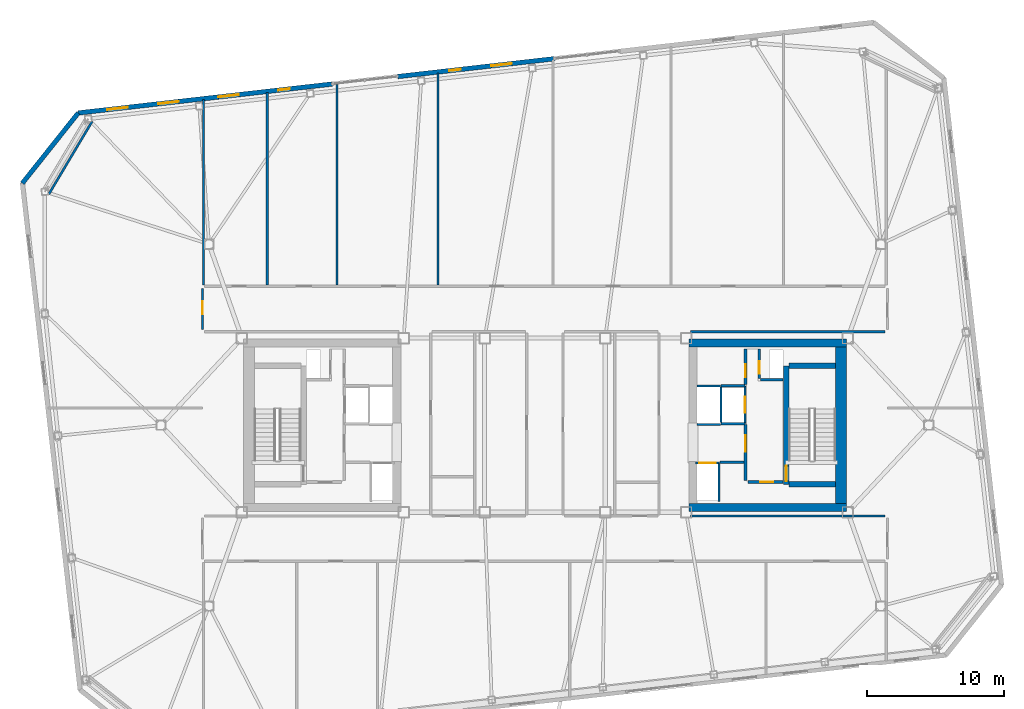
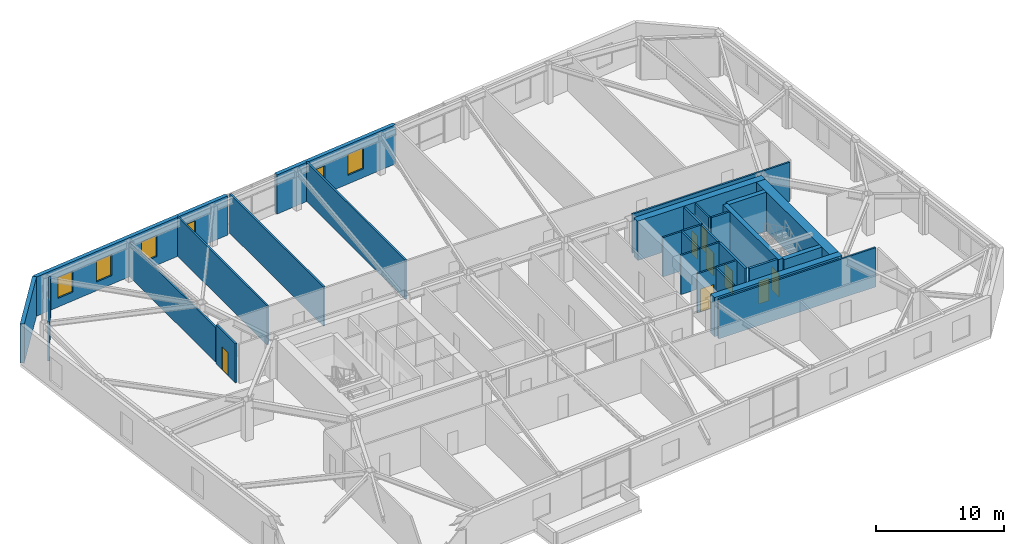
# One storey, part 14 of 18: 31 walls, 8 doors, 6 windows, 14 openings.
"""IFC4 building model written with IfcOpenShell, lengths in metres."""

from ifc_helpers import new_model, si_unit, direction, frame, frame_2d, origin, place, context, subcontext, project, spatial, rectangle, extrude, material, layer, layer_set, type_object, element, fill, save


model = new_model("IFC4")

# Units and contexts
model_context = context("Model", 3, precision=1e-05, world=origin(), true_north=direction((0.0, 1.0)))
body_context = subcontext(model_context, "Body", "Model", "MODEL_VIEW")
ifc_project = project(units=[si_unit("LENGTHUNIT", "METRE"), si_unit("AREAUNIT", "SQUARE_METRE"), si_unit("VOLUMEUNIT", "CUBIC_METRE"), si_unit("PLANEANGLEUNIT", "RADIAN"), si_unit("MASSUNIT", "GRAM", prefix="KILO")], contexts=[model_context])

# Site, building, storey
site_placement = place(None, origin())
site = spatial("IfcSite", under=ifc_project, at=site_placement, CompositionType="ELEMENT")
building_placement = place(site_placement, origin())
building = spatial("IfcBuilding", under=site, at=building_placement, Name="Tavrogorsk Clinical Tower", CompositionType="ELEMENT")
storey_placement = place(building_placement, frame((0.0, 0.0, 230.199951171875)))
storey = spatial("IfcBuildingStorey", under=building, at=storey_placement, Name="L53", CompositionType="ELEMENT", Elevation=230.199951171875)

# Wall, opening, door
ifc_material_1 = material(Name="Concrete B60", Category="concrete")
ifc_layer_1 = layer(ifc_material_1, 0.199951171875)
ifc_layer_set_1 = layer_set([ifc_layer_1], Name="Concrete B60")
wall_type_1 = type_object("IfcWallType", Name="CoreFireWall_200", PredefinedType="SOLIDWALL", material=ifc_layer_set_1)
wall_1_placement = place(storey_placement, frame((14.824951171875, -4.139892578125, 0.0), z_axis=(0.0, 0.0, 1.0), x_axis=(1.0, 0.0, 0.0)))
wall_1 = element("IfcWall", 1, at=wall_1_placement, inside=storey, type_object=wall_type_1, Name="L53 Core East South Core Room Fire Wall", PredefinedType="SOLIDWALL", context=body_context, shape_type="SweptSolid", body=[
    extrude(rectangle(XDim=2.554931640625, YDim=0.199951171875, at=frame_2d((1.27734375, 0.0))), origin(), (0.0, 0.0, 1.0), 3.739990234375),
])
opening_1_placement = place(wall_1_placement, frame((0.8798828125, 0.0, 0.0)))
opening_1 = element("IfcOpeningElement", 2, at=opening_1_placement, cuts=wall_1, Name="Opening ID-02", PredefinedType="OPENING", context=body_context, shape_type="SweptSolid", body=[
    extrude(rectangle(XDim=0.949951171875, YDim=2.199951171875, at=frame_2d((0.47509765625, 1.10009765625))), frame((0.0, 0.10986328125, 0.0), z_axis=(0.0, -1.0, 0.0), x_axis=(1.0, 0.0, 0.0)), (0.0, 0.0, 1.0), 0.219970703125),
])
ifc_material_2 = material(Name="Laminated timber leaf on aluminium frame", Category="wood")
door_type_1 = type_object("IfcDoorType", Name="InteriorDoor_ID02_950", OperationType="NOTDEFINED", PredefinedType="DOOR", material=ifc_material_2)
door_1_placement = place(opening_1_placement, origin())
door_1 = element("IfcDoor", 3, at=door_1_placement, inside=storey, type_object=door_type_1, Name="L53 Core East South Core Room Door", OperationType="SINGLE_SWING_RIGHT", OverallHeight=2.199951171875, OverallWidth=0.949951171875, PredefinedType="DOOR", context=body_context, shape_type="SweptSolid", body=[
    extrude(rectangle(XDim=0.949951171875, YDim=2.199951171875, at=frame_2d((0.47509765625, 1.10009765625))), frame((0.0, 0.02490234375, 0.0), z_axis=(0.0, -1.0, 0.0), x_axis=(1.0, 0.0, 0.0)), (0.0, 0.0, 1.0), 0.050048828125),
])
fill(opening_1, door_1)

wall_2_placement = place(storey_placement, frame((14.639892578125, 2.9599609375, 0.0), z_axis=(0.0, 0.0, 1.0), x_axis=(0.0, 1.0, 0.0)))
wall_2 = element("IfcWall", 4, at=wall_2_placement, inside=storey, type_object=wall_type_1, Name="L53 Core East North Core Room East Wall", PredefinedType="SOLIDWALL", context=body_context, shape_type="SweptSolid", body=[
    extrude(rectangle(XDim=2.60009765625, YDim=0.199951171875, at=frame_2d((1.300048828125, 0.0))), origin(), (0.0, 0.0, 1.0), 3.739990234375),
])
opening_2_placement = place(wall_2_placement, frame((0.52001953125, 0.0, 0.0)))
opening_2 = element("IfcOpeningElement", 5, at=opening_2_placement, cuts=wall_2, Name="Opening ID-02", PredefinedType="OPENING", context=body_context, shape_type="SweptSolid", body=[
    extrude(rectangle(XDim=0.949951171875, YDim=2.199951171875, at=frame_2d((0.47509765625, 1.10009765625))), frame((0.0, 0.10986328125, 0.0), z_axis=(0.0, -1.0, 0.0), x_axis=(1.0, 0.0, 0.0)), (0.0, 0.0, 1.0), 0.219970703125),
])
door_2_placement = place(opening_2_placement, origin())
door_2 = element("IfcDoor", 6, at=door_2_placement, inside=storey, type_object=door_type_1, Name="L53 Core East Core Telemetry Room Door", OperationType="SINGLE_SWING_LEFT", OverallHeight=2.199951171875, OverallWidth=0.949951171875, PredefinedType="DOOR", context=body_context, shape_type="SweptSolid", body=[
    extrude(rectangle(XDim=0.949951171875, YDim=2.199951171875, at=frame_2d((0.47509765625, 1.10009765625))), frame((0.0, 0.02490234375, 0.0), z_axis=(0.0, -1.0, 0.0), x_axis=(1.0, 0.0, 0.0)), (0.0, 0.0, 1.0), 0.050048828125),
])
fill(opening_2, door_2)

wall_3_placement = place(storey_placement, frame((14.639892578125, -4.034912109375, 0.0), z_axis=(0.0, 0.0, 1.0), x_axis=(0.0, 1.0, 0.0)))
wall_3 = element("IfcWall", 7, at=wall_3_placement, inside=storey, type_object=wall_type_1, Name="L53 Core East Firefighting Lobby Fire Wall", PredefinedType="SOLIDWALL", context=body_context, shape_type="SweptSolid", body=[
    extrude(rectangle(XDim=4.074951171875, YDim=0.199951171875, at=frame_2d((2.03759765625, 0.0))), origin(), (0.0, 0.0, 1.0), 3.739990234375),
])
opening_3_placement = place(wall_3_placement, frame((2.090087890625, 0.0, 0.0)))
opening_3 = element("IfcOpeningElement", 8, at=opening_3_placement, cuts=wall_3, Name="Opening FD-01", PredefinedType="OPENING", context=body_context, shape_type="SweptSolid", body=[
    extrude(rectangle(XDim=1.199951171875, YDim=2.199951171875, at=frame_2d((0.60009765625, 1.10009765625))), frame((0.0, 0.10986328125, 0.0), z_axis=(0.0, -1.0, 0.0), x_axis=(1.0, 0.0, 0.0)), (0.0, 0.0, 1.0), 0.219970703125),
])
ifc_material_3 = material(Name="Galvanised steel fire-rated door assembly", Category="steel")
door_type_2 = type_object("IfcDoorType", Name="FireDoor_FD01_1200", OperationType="NOTDEFINED", PredefinedType="DOOR", material=ifc_material_3)
door_3_placement = place(opening_3_placement, origin())
door_3 = element("IfcDoor", 9, at=door_3_placement, inside=storey, type_object=door_type_2, Name="L53 Core East Firefighting Lobby Entry Door", OperationType="SINGLE_SWING_RIGHT", OverallHeight=2.199951171875, OverallWidth=1.199951171875, PredefinedType="DOOR", context=body_context, shape_type="SweptSolid", body=[
    extrude(rectangle(XDim=1.199951171875, YDim=2.199951171875, at=frame_2d((0.60009765625, 1.10009765625))), frame((0.0, 0.02490234375, 0.0), z_axis=(0.0, -1.0, 0.0), x_axis=(1.0, 0.0, 0.0)), (0.0, 0.0, 1.0), 0.050048828125),
])
fill(opening_3, door_3)

# Walls
ifc_material_4 = material(Name="Lightweight concrete blockwork B15", Category="masonry")
ifc_layer_2 = layer(ifc_material_4, 0.159912109375)
ifc_layer_set_2 = layer_set([ifc_layer_2], Name="Lightweight concrete blockwork B15")
wall_type_2 = type_object("IfcWallType", Name="PartitionWall_160", PredefinedType="PARTITIONING", material=ifc_layer_set_2)
wall_4_placement = place(storey_placement, frame((12.77490234375, -2.699951171875, 0.0), z_axis=(0.0, 0.0, 1.0), x_axis=(1.0, 0.0, 0.0)))
element("IfcWall", 10, at=wall_4_placement, inside=storey, type_object=wall_type_2, Name="L53 Core East Freed Low-Bank North Partition", PredefinedType="PARTITIONING", context=body_context, shape_type="SweptSolid", body=[
    extrude(rectangle(XDim=1.760009765625, YDim=0.159912109375, at=frame_2d((0.8798828125, 0.0))), origin(), (0.0, 0.0, 1.0), 3.739990234375),
])
wall_5_placement = place(storey_placement, frame((-33.016357421875, 22.17138671875, 0.0), z_axis=(0.0, 0.0, 1.0), x_axis=(-0.511385266265, -0.859351563359, 0.0)))
element("IfcWall", 11, at=wall_5_placement, inside=storey, type_object=wall_type_2, Name="L53 Corner Exoskeleton Brace Furring Wall 3", PredefinedType="PARTITIONING", context=body_context, shape_type="SweptSolid", body=[
    extrude(rectangle(XDim=6.181884765625, YDim=0.159912109375, at=frame_2d((3.0908203125, 0.0))), origin(), (0.0, 0.0, 1.0), 3.739990234375),
])

# Wall, opening, door
wall_6_placement = place(storey_placement, frame((-24.97998046875, 6.985107421875, 0.0), z_axis=(0.0, 0.0, 1.0), x_axis=(0.0, 1.0, 0.0)))
wall_6 = element("IfcWall", 12, at=wall_6_placement, inside=storey, type_object=wall_type_2, Name="L53 Corridor Partition 04", PredefinedType="PARTITIONING", context=body_context, shape_type="SweptSolid", body=[
    extrude(rectangle(XDim=2.97998046875, YDim=0.159912109375, at=frame_2d((1.489990234375, 0.0))), origin(), (0.0, 0.0, 1.0), 3.739990234375),
])
opening_4_placement = place(wall_6_placement, frame((1.10009765625, 0.0, 0.0)))
opening_4 = element("IfcOpeningElement", 13, at=opening_4_placement, cuts=wall_6, Name="Opening ID-02", PredefinedType="OPENING", context=body_context, shape_type="SweptSolid", body=[
    extrude(rectangle(XDim=0.949951171875, YDim=2.199951171875, at=frame_2d((0.47509765625, 1.10009765625))), frame((0.0, 0.08984375, 0.0), z_axis=(0.0, -1.0, 0.0), x_axis=(1.0, 0.0, 0.0)), (0.0, 0.0, 1.0), 0.179931640625),
])
door_4_placement = place(opening_4_placement, origin())
door_4 = element("IfcDoor", 14, at=door_4_placement, inside=storey, type_object=door_type_1, Name="L53 W Rehabilitation Therapy Suite 2 Door", OperationType="SINGLE_SWING_RIGHT", OverallHeight=2.199951171875, OverallWidth=0.949951171875, PredefinedType="DOOR", context=body_context, shape_type="SweptSolid", body=[
    extrude(rectangle(XDim=0.949951171875, YDim=2.199951171875, at=frame_2d((0.47509765625, 1.10009765625))), frame((0.0, 0.02490234375, 0.0), z_axis=(0.0, -1.0, 0.0), x_axis=(1.0, 0.0, 0.0)), (0.0, 0.0, 1.0), 0.050048828125),
])
fill(opening_4, door_4)

# Walls
for number, where, z_axis, x_axis, name in (
    (15, (24.81494140625, 6.820068359375, 0.0), (0.0, 0.0, 1.0), (-1.0, 0.0, 0.0), "L53 Corridor Partition 07"),
    (16, (10.6298828125, -6.6201171875, 0.0), (0.0, 0.0, 1.0), (1.0, 0.0, 0.0), "L53 Corridor Partition 08"),
):
    element("IfcWall", number, at=place(storey_placement, frame(where, z_axis=z_axis, x_axis=x_axis)), inside=storey, type_object=wall_type_2, Name=name, PredefinedType="PARTITIONING", context=body_context, shape_type="SweptSolid", body=[
        extrude(rectangle(XDim=14.18505859375, YDim=0.159912109375, at=frame_2d((7.092529296875, 0.0))), origin(), (0.0, 0.0, 1.0), 3.739990234375),
    ])
wall_7_placement = place(storey_placement, frame((-24.89990234375, 10.215087890625, 0.0), z_axis=(0.0, 0.0, 1.0), x_axis=(0.0, 1.0, 0.0)))
element("IfcWall", 17, at=wall_7_placement, inside=storey, type_object=wall_type_2, Name="L53 NW Wing Closure Partition", PredefinedType="PARTITIONING", context=body_context, shape_type="SweptSolid", body=[
    extrude(rectangle(XDim=13.53125, YDim=0.159912109375, at=frame_2d((6.765625, 0.0))), origin(), (0.0, 0.0, 1.0), 3.28515625),
])
wall_8_placement = place(storey_placement, frame((-20.25, 10.215087890625, 0.0), z_axis=(0.0, 0.0, 1.0), x_axis=(0.0, 1.0, 0.0)))
element("IfcWall", 18, at=wall_8_placement, inside=storey, type_object=wall_type_2, Name="L53 North Room Partition 1", PredefinedType="PARTITIONING", context=body_context, shape_type="SweptSolid", body=[
    extrude(rectangle(XDim=14.06103515625, YDim=0.159912109375, at=frame_2d((7.030517578125, 0.0))), origin(), (0.0, 0.0, 1.0), 3.739990234375),
])
wall_9_placement = place(storey_placement, frame((-15.159912109375, 10.215087890625, 0.0), z_axis=(0.0, 0.0, 1.0), x_axis=(0.0, 1.0, 0.0)))
element("IfcWall", 19, at=wall_9_placement, inside=storey, type_object=wall_type_2, Name="L53 North Room Partition 2", PredefinedType="PARTITIONING", context=body_context, shape_type="SweptSolid", body=[
    extrude(rectangle(XDim=14.640869140625, YDim=0.159912109375, at=frame_2d((7.3203125, 0.0))), origin(), (0.0, 0.0, 1.0), 3.739990234375),
])
wall_10_placement = place(storey_placement, frame((-7.800048828125, 10.215087890625, 0.0), z_axis=(0.0, 0.0, 1.0), x_axis=(0.0, 1.0, 0.0)))
element("IfcWall", 20, at=wall_10_placement, inside=storey, type_object=wall_type_2, Name="L53 North Room Partition 3", PredefinedType="PARTITIONING", context=body_context, shape_type="SweptSolid", body=[
    extrude(rectangle(XDim=15.4794921875, YDim=0.159912109375, at=frame_2d((7.73974609375, 0.0))), origin(), (0.0, 0.0, 1.0), 3.739990234375),
])

# Wall, openings, windows
ifc_material_5 = material(Name="Precast concrete B45 with limestone cladding", Category="masonry")
ifc_layer_3 = layer(ifc_material_5, 0.340087890625)
ifc_layer_set_3 = layer_set([ifc_layer_3], Name="Precast concrete B45 with limestone cladding")
wall_type_3 = type_object("IfcWallType", Name="PrecastLimestoneWall_340", PredefinedType="STANDARD", material=ifc_layer_set_3)
wall_11_placement = place(storey_placement, frame((0.681884765625, 26.7314453125, 0.0), z_axis=(0.0, 0.0, 1.0), x_axis=(-0.993571968199, -0.113202226169, 0.0)))
wall_11 = element("IfcWall", 21, at=wall_11_placement, inside=storey, type_object=wall_type_3, Name="L53 N Limestone Facade Wall 2", PredefinedType="STANDARD", context=body_context, shape_type="SweptSolid", body=[
    extrude(rectangle(XDim=11.497314453125, YDim=0.340087890625, at=frame_2d((5.74853515625, 0.0))), origin(), (0.0, 0.0, 1.0), 3.739990234375),
])
opening_5_placement = place(wall_11_placement, frame((6.872802734375, 0.0, 0.830078125)))
opening_5 = element("IfcOpeningElement", 22, at=opening_5_placement, cuts=wall_11, Name="Opening WN-06", PredefinedType="OPENING", context=body_context, shape_type="SweptSolid", body=[
    extrude(rectangle(XDim=0.85009765625, YDim=1.85009765625, at=frame_2d((0.425048828125, 0.925048828125))), frame((0.0, 0.179931640625, 0.0), z_axis=(0.0, -1.0, 0.0), x_axis=(1.0, 0.0, 0.0)), (0.0, 0.0, 1.0), 0.360107421875),
])
opening_6_placement = place(wall_11_placement, frame((3.12451171875, 0.0, 0.830078125)))
opening_6 = element("IfcOpeningElement", 23, at=opening_6_placement, cuts=wall_11, Name="Opening WN-05", PredefinedType="OPENING", context=body_context, shape_type="SweptSolid", body=[
    extrude(rectangle(XDim=1.5, YDim=2.0, at=frame_2d((0.75, 1.0))), frame((0.0, 0.179931640625, 0.0), z_axis=(0.0, -1.0, 0.0), x_axis=(1.0, 0.0, 0.0)), (0.0, 0.0, 1.0), 0.360107421875),
])
ifc_material_6 = material(Name="Thermally broken aluminium frame and triple IGU", Category="aluminium")
window_type_1 = type_object("IfcWindowType", Name="ConsultWin_1500x2000", PartitioningType="SINGLE_PANEL", PredefinedType="WINDOW", material=ifc_material_6)
window_1_placement = place(opening_6_placement, origin())
window_1 = element("IfcWindow", 24, at=window_1_placement, inside=storey, type_object=window_type_1, Name="L53 N Chicago Window 06", OverallHeight=2.0, OverallWidth=1.5, PartitioningType="SINGLE_PANEL", PredefinedType="WINDOW", context=body_context, shape_type="SweptSolid", body=[
    extrude(rectangle(XDim=1.5, YDim=2.0, at=frame_2d((0.75, 1.0))), frame((0.0, 0.030029296875, 0.0), z_axis=(0.0, -1.0, 0.0), x_axis=(1.0, 0.0, 0.0)), (0.0, 0.0, 1.0), 0.06005859375),
])
fill(opening_6, window_1)
ifc_material_7 = material(Name="Thermally broken aluminium frame and triple IGU", Category="aluminium")
window_type_2 = type_object("IfcWindowType", Name="MullionSubWin_850x1850", PartitioningType="SINGLE_PANEL", PredefinedType="WINDOW", material=ifc_material_7)
window_2_placement = place(opening_5_placement, origin())
window_2 = element("IfcWindow", 25, at=window_2_placement, inside=storey, type_object=window_type_2, Name="L53 N Mullion Split Window 05A", OverallHeight=1.85009765625, OverallWidth=0.85009765625, PartitioningType="SINGLE_PANEL", PredefinedType="WINDOW", context=body_context, shape_type="SweptSolid", body=[
    extrude(rectangle(XDim=0.85009765625, YDim=1.85009765625, at=frame_2d((0.425048828125, 0.925048828125))), frame((0.0, 0.030029296875, 0.0), z_axis=(0.0, -1.0, 0.0), x_axis=(1.0, 0.0, 0.0)), (0.0, 0.0, 1.0), 0.06005859375),
])
fill(opening_5, window_2)

wall_12_placement = place(storey_placement, frame((-15.510498046875, 24.886474609375, 0.0), z_axis=(0.0, 0.0, 1.0), x_axis=(-0.993572271362, -0.113199565282, 0.0)))
wall_12 = element("IfcWall", 26, at=wall_12_placement, inside=storey, type_object=wall_type_3, Name="L53 N Limestone Facade Wall 3", PredefinedType="STANDARD", context=body_context, shape_type="SweptSolid", body=[
    extrude(rectangle(XDim=18.6513671875, YDim=0.340087890625, at=frame_2d((9.32568359375, 0.0))), origin(), (0.0, 0.0, 1.0), 3.739990234375),
])
opening_7_placement = place(wall_12_placement, frame((15.021240234375, 0.0, 0.830078125)))
opening_7 = element("IfcOpeningElement", 27, at=opening_7_placement, cuts=wall_12, Name="Opening WN-05", PredefinedType="OPENING", context=body_context, shape_type="SweptSolid", body=[
    extrude(rectangle(XDim=1.5, YDim=2.0, at=frame_2d((0.75, 1.0))), frame((0.0, 0.179931640625, 0.0), z_axis=(0.0, -1.0, 0.0), x_axis=(1.0, 0.0, 0.0)), (0.0, 0.0, 1.0), 0.360107421875),
])
opening_8_placement = place(wall_12_placement, frame((11.27294921875, 0.0, 0.830078125)))
opening_8 = element("IfcOpeningElement", 28, at=opening_8_placement, cuts=wall_12, Name="Opening WN-05", PredefinedType="OPENING", context=body_context, shape_type="SweptSolid", body=[
    extrude(rectangle(XDim=1.5, YDim=2.0, at=frame_2d((0.75, 1.0))), frame((0.0, 0.179931640625, 0.0), z_axis=(0.0, -1.0, 0.0), x_axis=(1.0, 0.0, 0.0)), (0.0, 0.0, 1.0), 0.360107421875),
])
opening_9_placement = place(wall_12_placement, frame((6.872802734375, 0.0, 0.830078125)))
opening_9 = element("IfcOpeningElement", 29, at=opening_9_placement, cuts=wall_12, Name="Opening WN-05", PredefinedType="OPENING", context=body_context, shape_type="SweptSolid", body=[
    extrude(rectangle(XDim=1.5, YDim=2.0, at=frame_2d((0.75, 1.0))), frame((0.0, 0.179931640625, 0.0), z_axis=(0.0, -1.0, 0.0), x_axis=(1.0, 0.0, 0.0)), (0.0, 0.0, 1.0), 0.360107421875),
])
opening_10_placement = place(wall_12_placement, frame((3.12451171875, 0.0, 0.830078125)))
opening_10 = element("IfcOpeningElement", 30, at=opening_10_placement, cuts=wall_12, Name="Opening WN-06", PredefinedType="OPENING", context=body_context, shape_type="SweptSolid", body=[
    extrude(rectangle(XDim=0.85009765625, YDim=1.85009765625, at=frame_2d((0.425048828125, 0.925048828125))), frame((0.0, 0.179931640625, 0.0), z_axis=(0.0, -1.0, 0.0), x_axis=(1.0, 0.0, 0.0)), (0.0, 0.0, 1.0), 0.360107421875),
])
window_3_placement = place(opening_7_placement, origin())
window_3 = element("IfcWindow", 31, at=window_3_placement, inside=storey, type_object=window_type_1, Name="L53 N Chicago Window 01", OverallHeight=2.0, OverallWidth=1.5, PartitioningType="SINGLE_PANEL", PredefinedType="WINDOW", context=body_context, shape_type="SweptSolid", body=[
    extrude(rectangle(XDim=1.5, YDim=2.0, at=frame_2d((0.75, 1.0))), frame((0.0, 0.030029296875, 0.0), z_axis=(0.0, -1.0, 0.0), x_axis=(1.0, 0.0, 0.0)), (0.0, 0.0, 1.0), 0.06005859375),
])
fill(opening_7, window_3)
window_4_placement = place(opening_8_placement, origin())
window_4 = element("IfcWindow", 32, at=window_4_placement, inside=storey, type_object=window_type_1, Name="L53 N Chicago Window 02", OverallHeight=2.0, OverallWidth=1.5, PartitioningType="SINGLE_PANEL", PredefinedType="WINDOW", context=body_context, shape_type="SweptSolid", body=[
    extrude(rectangle(XDim=1.5, YDim=2.0, at=frame_2d((0.75, 1.0))), frame((0.0, 0.030029296875, 0.0), z_axis=(0.0, -1.0, 0.0), x_axis=(1.0, 0.0, 0.0)), (0.0, 0.0, 1.0), 0.06005859375),
])
fill(opening_8, window_4)
window_5_placement = place(opening_9_placement, origin())
window_5 = element("IfcWindow", 33, at=window_5_placement, inside=storey, type_object=window_type_1, Name="L53 N Chicago Window 03", OverallHeight=2.0, OverallWidth=1.5, PartitioningType="SINGLE_PANEL", PredefinedType="WINDOW", context=body_context, shape_type="SweptSolid", body=[
    extrude(rectangle(XDim=1.5, YDim=2.0, at=frame_2d((0.75, 1.0))), frame((0.0, 0.030029296875, 0.0), z_axis=(0.0, -1.0, 0.0), x_axis=(1.0, 0.0, 0.0)), (0.0, 0.0, 1.0), 0.06005859375),
])
fill(opening_9, window_5)
window_6_placement = place(opening_10_placement, origin())
window_6 = element("IfcWindow", 34, at=window_6_placement, inside=storey, type_object=window_type_2, Name="L53 N Mullion Split Window 04A", OverallHeight=1.85009765625, OverallWidth=0.85009765625, PartitioningType="SINGLE_PANEL", PredefinedType="WINDOW", context=body_context, shape_type="SweptSolid", body=[
    extrude(rectangle(XDim=0.85009765625, YDim=1.85009765625, at=frame_2d((0.425048828125, 0.925048828125))), frame((0.0, 0.030029296875, 0.0), z_axis=(0.0, -1.0, 0.0), x_axis=(1.0, 0.0, 0.0)), (0.0, 0.0, 1.0), 0.06005859375),
])
fill(opening_10, window_6)

# Wall
wall_13_placement = place(storey_placement, frame((-34.0419921875, 22.775146484375, 0.0), z_axis=(0.0, 0.0, 1.0), x_axis=(-0.62252823689, -0.78259733853, 0.0)))
element("IfcWall", 35, at=wall_13_placement, inside=storey, type_object=wall_type_3, Name="L53 Chamfered Corner Wall 3", PredefinedType="STANDARD", context=body_context, shape_type="SweptSolid", body=[
    extrude(rectangle(XDim=6.5478515625, YDim=0.340087890625, at=frame_2d((3.27392578125, 0.0))), origin(), (0.0, 0.0, 1.0), 3.739990234375),
])

# Wall, opening, door
ifc_material_8 = material(Name="Lightweight concrete blockwork B25", Category="masonry")
ifc_layer_4 = layer(ifc_material_8, 0.159912109375)
ifc_layer_set_4 = layer_set([ifc_layer_4], Name="Lightweight concrete blockwork B25")
wall_type_4 = type_object("IfcWallType", Name="ShaftWall_160", PredefinedType="PARTITIONING", material=ifc_layer_set_4)
wall_14_placement = place(storey_placement, frame((14.60009765625, 0.1201171875, 0.0), z_axis=(0.0, 0.0, 1.0), x_axis=(0.0, 1.0, 0.0)))
wall_14 = element("IfcWall", 36, at=wall_14_placement, inside=storey, type_object=wall_type_4, Name="L53 FFL-E Firefighting Lift Front Wall", PredefinedType="PARTITIONING", context=body_context, shape_type="SweptSolid", body=[
    extrude(rectangle(XDim=2.739990234375, YDim=0.159912109375, at=frame_2d((1.3701171875, 0.0))), origin(), (0.0, 0.0, 1.0), 3.739990234375),
])
opening_11_placement = place(wall_14_placement, frame((0.77001953125, 0.0, 0.0)))
opening_11 = element("IfcOpeningElement", 37, at=opening_11_placement, cuts=wall_14, Name="Opening LD", PredefinedType="OPENING", context=body_context, shape_type="SweptSolid", body=[
    extrude(rectangle(XDim=1.199951171875, YDim=2.199951171875, at=frame_2d((0.60009765625, 1.10009765625))), frame((0.0, 0.08984375, 0.0), z_axis=(0.0, -1.0, 0.0), x_axis=(1.0, 0.0, 0.0)), (0.0, 0.0, 1.0), 0.179931640625),
])
ifc_material_9 = material(Name="Brushed stainless steel AISI 304 sliding doors", Category="steel")
door_type_3 = type_object("IfcDoorType", Name="LiftLandingDoor_LD_1200", OperationType="SLIDING_TO_LEFT", PredefinedType="DOOR", material=ifc_material_9)
door_5_placement = place(opening_11_placement, origin())
door_5 = element("IfcDoor", 38, at=door_5_placement, inside=storey, type_object=door_type_3, Name="L53 FFL-E Sliding Lift Landing Door", OperationType="SLIDING_TO_LEFT", OverallHeight=2.199951171875, OverallWidth=1.199951171875, PredefinedType="DOOR", context=body_context, shape_type="SweptSolid", body=[
    extrude(rectangle(XDim=1.199951171875, YDim=2.199951171875, at=frame_2d((0.60009765625, 1.10009765625))), frame((0.0, 0.02490234375, 0.0), z_axis=(0.0, -1.0, 0.0), x_axis=(1.0, 0.0, 0.0)), (0.0, 0.0, 1.0), 0.050048828125),
])
fill(opening_11, door_5)

# Walls
for number, where, z_axis, x_axis, name in (
    (39, (12.840087890625, 0.10009765625, 0.0), (0.0, 0.0, 1.0), (1.0, 0.0, 0.0), "L53 FFL-E Shaft South Wall"),
    (40, (12.840087890625, 2.8798828125, 0.0), (0.0, 0.0, 1.0), (1.0, 0.0, 0.0), "L53 FFL-E Shaft North Wall"),
):
    element("IfcWall", number, at=place(storey_placement, frame(where, z_axis=z_axis, x_axis=x_axis)), inside=storey, type_object=wall_type_4, Name=name, PredefinedType="PARTITIONING", context=body_context, shape_type="SweptSolid", body=[
        extrude(rectangle(XDim=1.760009765625, YDim=0.159912109375, at=frame_2d((0.8798828125, 0.0))), origin(), (0.0, 0.0, 1.0), 3.739990234375),
    ])
wall_15_placement = place(storey_placement, frame((12.840087890625, 0.179931640625, 0.0), z_axis=(0.0, 0.0, 1.0), x_axis=(0.0, 1.0, 0.0)))
element("IfcWall", 41, at=wall_15_placement, inside=storey, type_object=wall_type_4, Name="L53 FFL-E Shaft Back Wall", PredefinedType="PARTITIONING", context=body_context, shape_type="SweptSolid", body=[
    extrude(rectangle(XDim=2.6201171875, YDim=0.159912109375, at=frame_2d((1.31005859375, 0.0))), origin(), (0.0, 0.0, 1.0), 3.739990234375),
])

# Wall, opening, door
wall_16_placement = place(storey_placement, frame((10.969970703125, -2.75, 0.0), z_axis=(0.0, 0.0, 1.0), x_axis=(1.0, 0.0, 0.0)))
wall_16 = element("IfcWall", 42, at=wall_16_placement, inside=storey, type_object=wall_type_4, Name="L53 LP-M2 Lift Shaft Portal Wall", PredefinedType="PARTITIONING", context=body_context, shape_type="SweptSolid", body=[
    extrude(rectangle(XDim=1.760009765625, YDim=0.159912109375, at=frame_2d((0.8798828125, 0.0))), origin(), (0.0, 0.0, 1.0), 3.739990234375),
])
opening_12_placement = place(wall_16_placement, frame((0.280029296875, 0.0, 0.0)))
opening_12 = element("IfcOpeningElement", 43, at=opening_12_placement, cuts=wall_16, Name="Opening LD", PredefinedType="OPENING", context=body_context, shape_type="SweptSolid", body=[
    extrude(rectangle(XDim=1.199951171875, YDim=2.199951171875, at=frame_2d((0.60009765625, 1.10009765625))), frame((0.0, 0.08984375, 0.0), z_axis=(0.0, -1.0, 0.0), x_axis=(1.0, 0.0, 0.0)), (0.0, 0.0, 1.0), 0.179931640625),
])
door_6_placement = place(opening_12_placement, origin())
door_6 = element("IfcDoor", 44, at=door_6_placement, inside=storey, type_object=door_type_3, Name="L53 LP-M2 Sliding Lift Landing Door", OperationType="SLIDING_TO_LEFT", OverallHeight=2.199951171875, OverallWidth=1.199951171875, PredefinedType="DOOR", context=body_context, shape_type="SweptSolid", body=[
    extrude(rectangle(XDim=1.199951171875, YDim=2.199951171875, at=frame_2d((0.60009765625, 1.10009765625))), frame((0.0, 0.02490234375, 0.0), z_axis=(0.0, -1.0, 0.0), x_axis=(1.0, 0.0, 0.0)), (0.0, 0.0, 1.0), 0.050048828125),
])
fill(opening_12, door_6)

# Walls
for number, where, z_axis, x_axis, name in (
    (45, (11.10009765625, 0.06005859375, 0.0), (0.0, 0.0, 1.0), (1.0, 0.0, 0.0), "L53 LP-H2 High-Zone Lift Portal Wall"),
    (46, (11.10009765625, 2.860107421875, 0.0), (0.0, 0.0, 1.0), (1.0, 0.0, 0.0), "L53 LP-H2 High-Zone Lift Rear Wall"),
):
    element("IfcWall", number, at=place(storey_placement, frame(where, z_axis=z_axis, x_axis=x_axis)), inside=storey, type_object=wall_type_4, Name=name, PredefinedType="PARTITIONING", context=body_context, shape_type="SweptSolid", body=[
        extrude(rectangle(XDim=1.719970703125, YDim=0.159912109375, at=frame_2d((0.85986328125, 0.0))), origin(), (0.0, 0.0, 1.0), 3.739990234375),
    ])

# Wall, opening, door
wall_17_placement = place(storey_placement, frame((15.639892578125, 3.405029296875, 0.0), z_axis=(0.0, 0.0, 1.0), x_axis=(0.0, 1.0, 0.0)))
wall_17 = element("IfcWall", 47, at=wall_17_placement, inside=storey, type_object=wall_type_4, Name="L53 Core East Riser West Wall", PredefinedType="PARTITIONING", context=body_context, shape_type="SweptSolid", body=[
    extrude(rectangle(XDim=2.155029296875, YDim=0.159912109375, at=frame_2d((1.07763671875, 0.0))), origin(), (0.0, 0.0, 1.0), 3.739990234375),
])
opening_13_placement = place(wall_17_placement, frame((0.35009765625, 0.0, 0.0)))
opening_13 = element("IfcOpeningElement", 48, at=opening_13_placement, cuts=wall_17, Name="Opening FD-02", PredefinedType="OPENING", context=body_context, shape_type="SweptSolid", body=[
    extrude(rectangle(XDim=0.89990234375, YDim=2.199951171875, at=frame_2d((0.449951171875, 1.10009765625))), frame((0.0, 0.08984375, 0.0), z_axis=(0.0, -1.0, 0.0), x_axis=(1.0, 0.0, 0.0)), (0.0, 0.0, 1.0), 0.179931640625),
])
ifc_material_10 = material(Name="Galvanised steel fire-rated door assembly", Category="steel")
door_type_4 = type_object("IfcDoorType", Name="FireDoor_FD02_900", OperationType="NOTDEFINED", PredefinedType="DOOR", material=ifc_material_10)
door_7_placement = place(opening_13_placement, origin())
door_7 = element("IfcDoor", 49, at=door_7_placement, inside=storey, type_object=door_type_4, Name="L53 Core East Electrical Riser Access Door", OperationType="SINGLE_SWING_LEFT", OverallHeight=2.199951171875, OverallWidth=0.89990234375, PredefinedType="DOOR", context=body_context, shape_type="SweptSolid", body=[
    extrude(rectangle(XDim=0.89990234375, YDim=2.199951171875, at=frame_2d((0.449951171875, 1.10009765625))), frame((0.0, 0.02490234375, 0.0), z_axis=(0.0, -1.0, 0.0), x_axis=(1.0, 0.0, 0.0)), (0.0, 0.0, 1.0), 0.050048828125),
])
fill(opening_13, door_7)

# Walls
wall_18_placement = place(storey_placement, frame((15.72509765625, 3.320068359375, 0.0), z_axis=(0.0, 0.0, 1.0), x_axis=(1.0, 0.0, 0.0)))
element("IfcWall", 50, at=wall_18_placement, inside=storey, type_object=wall_type_4, Name="L53 Core East Riser South Wall", PredefinedType="PARTITIONING", context=body_context, shape_type="SweptSolid", body=[
    extrude(rectangle(XDim=1.65478515625, YDim=0.159912109375, at=frame_2d((0.827392578125, 0.0))), origin(), (0.0, 0.0, 1.0), 3.739990234375),
])
wall_19_placement = place(storey_placement, frame((12.68994140625, -5.56005859375, 0.0), z_axis=(0.0, 0.0, 1.0), x_axis=(0.0, 1.0, 0.0)))
element("IfcWall", 51, at=wall_19_placement, inside=storey, type_object=wall_type_4, Name="L53 Core East Freed Low-Bank Shaft Divider", PredefinedType="PARTITIONING", context=body_context, shape_type="SweptSolid", body=[
    extrude(rectangle(XDim=2.775146484375, YDim=0.159912109375, at=frame_2d((1.3876953125, 0.0))), origin(), (0.0, 0.0, 1.0), 3.739990234375),
])

# Wall, opening, door
ifc_material_11 = material(Name="Concrete B80", Category="concrete")
ifc_layer_5 = layer(ifc_material_11, 0.39990234375)
ifc_layer_set_5 = layer_set([ifc_layer_5], Name="Concrete B80")
wall_type_5 = type_object("IfcWallType", Name="ShearWall_400", PredefinedType="SHEAR", material=ifc_layer_set_5)
wall_20_placement = place(storey_placement, frame((17.60009765625, -4.324951171875, 0.0), z_axis=(0.0, 0.0, 1.0), x_axis=(0.0, 1.0, 0.0)))
wall_20 = element("IfcWall", 52, at=wall_20_placement, inside=storey, type_object=wall_type_5, Name="L53 Core East Stair Shaft Inner Shear Wall", PredefinedType="SHEAR", context=body_context, shape_type="SweptSolid", body=[
    extrude(rectangle(XDim=8.64990234375, YDim=0.39990234375, at=frame_2d((4.324951171875, 0.0))), origin(), (0.0, 0.0, 1.0), 3.739990234375),
])
opening_14_placement = place(wall_20_placement, frame((0.25, 0.0, 0.0)))
opening_14 = element("IfcOpeningElement", 53, at=opening_14_placement, cuts=wall_20, Name="Opening SD-01", PredefinedType="OPENING", context=body_context, shape_type="SweptSolid", body=[
    extrude(rectangle(XDim=1.10009765625, YDim=2.199951171875, at=frame_2d((0.550048828125, 1.10009765625))), frame((0.0, 0.2099609375, 0.0), z_axis=(0.0, -1.0, 0.0), x_axis=(1.0, 0.0, 0.0)), (0.0, 0.0, 1.0), 0.419921875),
])
ifc_material_12 = material(Name="Galvanised steel smoke-tight fire door assembly", Category="steel")
door_type_5 = type_object("IfcDoorType", Name="StairFireDoor_SD01_1100", OperationType="NOTDEFINED", PredefinedType="DOOR", material=ifc_material_12)
door_8_placement = place(opening_14_placement, origin())
door_8 = element("IfcDoor", 54, at=door_8_placement, inside=storey, type_object=door_type_5, Name="L53 ST-E Exit Stair Door", OperationType="SINGLE_SWING_LEFT", OverallHeight=2.199951171875, OverallWidth=1.10009765625, PredefinedType="DOOR", context=body_context, shape_type="SweptSolid", body=[
    extrude(rectangle(XDim=1.10009765625, YDim=2.199951171875, at=frame_2d((0.550048828125, 1.10009765625))), frame((0.0, 0.02490234375, 0.0), z_axis=(0.0, -1.0, 0.0), x_axis=(1.0, 0.0, 0.0)), (0.0, 0.0, 1.0), 0.050048828125),
])
fill(opening_14, door_8)

# Walls
for number, where, z_axis, x_axis, name in (
    (55, (17.800048828125, -4.324951171875, 0.0), (0.0, 0.0, 1.0), (1.0, 0.0, 0.0), "L53 Core East Stair Shaft South Shear Wall"),
    (56, (17.800048828125, 4.324951171875, 0.0), (0.0, 0.0, 1.0), (1.0, 0.0, 0.0), "L53 Core East Stair Shaft North Shear Wall"),
):
    element("IfcWall", number, at=place(storey_placement, frame(where, z_axis=z_axis, x_axis=x_axis)), inside=storey, type_object=wall_type_5, Name=name, PredefinedType="SHEAR", context=body_context, shape_type="SweptSolid", body=[
        extrude(rectangle(XDim=3.39990234375, YDim=0.39990234375, at=frame_2d((1.699951171875, 0.0))), origin(), (0.0, 0.0, 1.0), 3.739990234375),
    ])
ifc_material_13 = material(Name="Concrete B80", Category="concrete")
ifc_layer_6 = layer(ifc_material_13, 0.60009765625)
ifc_layer_set_6 = layer_set([ifc_layer_6], Name="Concrete B80")
wall_type_6 = type_object("IfcWallType", Name="ShearWall_600", PredefinedType="SHEAR", material=ifc_layer_set_6)
for number, where, z_axis, x_axis, name in (
    (57, (10.5, 6.0, 0.0), (0.0, 0.0, 1.0), (1.0, 0.0, 0.0), "L53 Core East North Shear Wall"),
    (58, (10.5, -6.0, 0.0), (0.0, 0.0, 1.0), (1.0, 0.0, 0.0), "L53 Core East South Shear Wall"),
):
    element("IfcWall", number, at=place(storey_placement, frame(where, z_axis=z_axis, x_axis=x_axis)), inside=storey, type_object=wall_type_6, Name=name, PredefinedType="SHEAR", context=body_context, shape_type="SweptSolid", body=[
        extrude(rectangle(XDim=11.5, YDim=0.60009765625, at=frame_2d((5.75, 0.0))), origin(), (0.0, 0.0, 1.0), 3.739990234375),
    ])
ifc_material_14 = material(Name="Concrete B80", Category="concrete")
ifc_layer_7 = layer(ifc_material_14, 0.800048828125)
ifc_layer_set_7 = layer_set([ifc_layer_7], Name="Concrete B80")
wall_type_7 = type_object("IfcWallType", Name="ShearWall_800", PredefinedType="SHEAR", material=ifc_layer_set_7)
wall_21_placement = place(storey_placement, frame((21.60009765625, -5.699951171875, 0.0), z_axis=(0.0, 0.0, 1.0), x_axis=(0.0, 1.0, 0.0)))
element("IfcWall", 59, at=wall_21_placement, inside=storey, type_object=wall_type_7, Name="L53 Core East End Shear Wall", PredefinedType="SHEAR", context=body_context, shape_type="SweptSolid", body=[
    extrude(rectangle(XDim=11.39990234375, YDim=0.800048828125, at=frame_2d((5.699951171875, 0.0))), origin(), (0.0, 0.0, 1.0), 3.739990234375),
])

save(model, "model.ifc")
